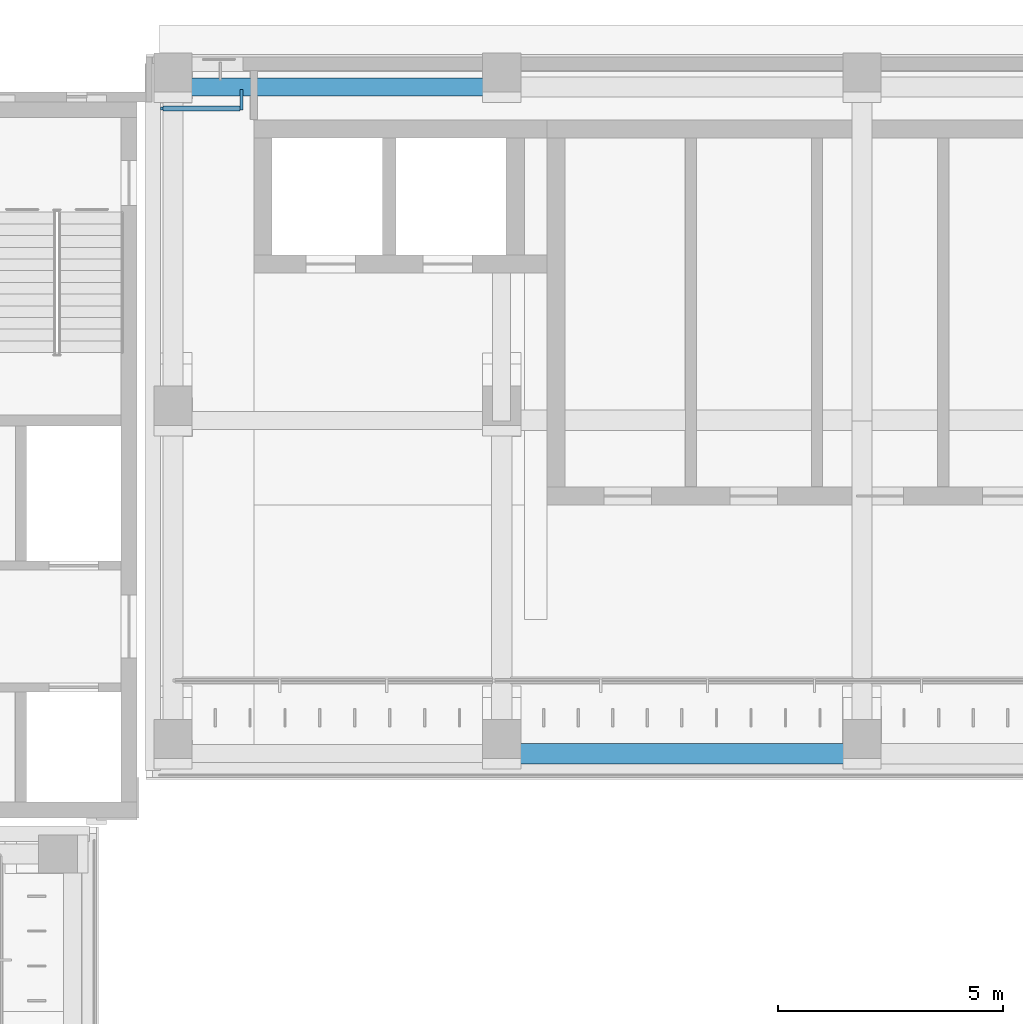
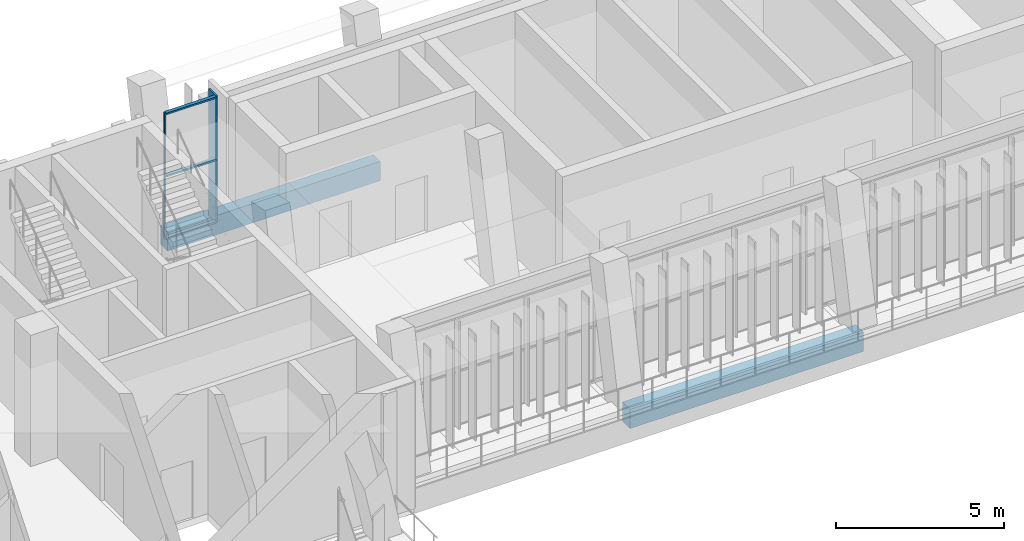
# One storey, part 33 of 92: 5 members, 2 beams, 1 element without a shape of its own.
"""IFC4 building model written with IfcOpenShell, lengths in metres."""

from ifc_helpers import new_model, si_unit, direction, frame, origin, origin_2d, place, context, subcontext, project, spatial, rectangle, extrude, material, material_profile, profile_set, type_object, element, aggregate, save


model = new_model("IFC4")

# Units and contexts
model_context = context("Model", 3, precision=1e-05, world=origin(), true_north=direction((0.0, 1.0)))
body_context = subcontext(model_context, "Body", "Model", "MODEL_VIEW")
ifc_project = project(units=[si_unit("LENGTHUNIT", "METRE"), si_unit("AREAUNIT", "SQUARE_METRE"), si_unit("VOLUMEUNIT", "CUBIC_METRE"), si_unit("PLANEANGLEUNIT", "RADIAN"), si_unit("MASSUNIT", "GRAM", prefix="KILO")], contexts=[model_context])

# Site, building, storey
site_placement = place(None, origin())
site = spatial("IfcSite", under=ifc_project, at=site_placement, CompositionType="ELEMENT")
building_placement = place(site_placement, origin())
building = spatial("IfcBuilding", under=site, at=building_placement, Name="Lantern Court Media Centre", CompositionType="ELEMENT")
storey_placement = place(building_placement, frame((0.0, 0.0, 4.800048828125)))
storey = spatial("IfcBuildingStorey", under=building, at=storey_placement, Name="L01", CompositionType="ELEMENT", Elevation=4.800048828125)

# Curtain wall, members
ifc_material_1 = material(Name="Curtain wall bay 3000")
curtain_wall_type = type_object("IfcCurtainWallType", Name="Curtain wall bay 3000", PredefinedType="NOTDEFINED", material=ifc_material_1)
curtain_wall_placement = place(storey_placement, origin())
curtain_wall = element("IfcCurtainWall", 1, at=curtain_wall_placement, inside=storey, type_object=curtain_wall_type, Name="Curtain wall N outer L01", PredefinedType="NOTDEFINED")
ifc_material_2 = material(Name="Anodised aluminium", Category="aluminium")
ifc_material_profile_1 = material_profile(ifc_material_2, rectangle(XDim=0.449951171875, YDim=0.06005859375, at=origin_2d()), Name="AL 60x450")
ifc_profile_set_1 = profile_set([ifc_material_profile_1], Name="Anodised aluminium")
member_type_1 = type_object("IfcMemberType", Name="Curtain wall mullion 60x450", PredefinedType="MULLION", material=ifc_profile_set_1)
member_1_placement = place(storey_placement, frame((26.219970703125, 112.044921875, 0.0), z_axis=(0.0, 0.0, 1.0), x_axis=(0.0, 1.0, 0.0)))
member_1 = element("IfcMember", 2, at=member_1_placement, type_object=member_type_1, Name="CW1 mullion 2", PredefinedType="MULLION", context=body_context, shape_type="SweptSolid", body=[
    extrude(rectangle(XDim=0.449951171875, YDim=0.06005859375, at=origin_2d()), origin(), (0.0, 0.0, 1.0), 4.579833984375),
])
ifc_material_profile_2 = material_profile(ifc_material_2, rectangle(XDim=0.06005859375, YDim=0.06005859375, at=origin_2d()), Name="AL 60x60")
ifc_profile_set_2 = profile_set([ifc_material_profile_2], Name="Anodised aluminium")
member_type_2 = type_object("IfcMemberType", Name="Curtain wall mullion 60x60", PredefinedType="MULLION", material=ifc_profile_set_2)
member_2_placement = place(storey_placement, frame((24.449951171875, 111.85009765625, 0.0), z_axis=(0.0, 0.0, 1.0), x_axis=(0.0, 1.0, 0.0)))
member_2 = element("IfcMember", 3, at=member_2_placement, type_object=member_type_2, Name="CW1 mullion 1", PredefinedType="MULLION", context=body_context, shape_type="SweptSolid", body=[
    extrude(rectangle(XDim=0.06005859375, YDim=0.06005859375, at=origin_2d()), origin(), (0.0, 0.0, 1.0), 4.579833984375),
])
ifc_material_profile_3 = material_profile(ifc_material_2, rectangle(XDim=0.1201171875, YDim=0.06005859375, at=origin_2d()), Name="AL 60x120")
ifc_profile_set_3 = profile_set([ifc_material_profile_3], Name="Anodised aluminium")
member_type_3 = type_object("IfcMemberType", Name="Curtain wall transom 60x120", PredefinedType="USERDEFINED", material=ifc_profile_set_3)
member_3_placement = place(storey_placement, frame((24.47998046875, 111.85009765625, 0.030029296875), z_axis=(1.0, 0.0, 0.0), x_axis=(0.0, 1.0, 0.0)))
member_3 = element("IfcMember", 4, at=member_3_placement, type_object=member_type_3, Name="CW1 transom 1.1", ObjectType="TRANSOM", PredefinedType="USERDEFINED", context=body_context, shape_type="SweptSolid", body=[
    extrude(rectangle(XDim=0.1201171875, YDim=0.06005859375, at=origin_2d()), origin(), (0.0, 0.0, 1.0), 1.7099609375),
])
member_4_placement = place(storey_placement, frame((24.47998046875, 111.85009765625, 2.2900390625), z_axis=(1.0, 0.0, 0.0), x_axis=(0.0, 1.0, 0.0)))
member_4 = element("IfcMember", 5, at=member_4_placement, type_object=member_type_3, Name="CW1 transom 1.2", ObjectType="TRANSOM", PredefinedType="USERDEFINED", context=body_context, shape_type="SweptSolid", body=[
    extrude(rectangle(XDim=0.1201171875, YDim=0.06005859375, at=origin_2d()), origin(), (0.0, 0.0, 1.0), 1.7099609375),
])
member_5_placement = place(storey_placement, frame((24.47998046875, 111.85009765625, 4.550048828125), z_axis=(1.0, 0.0, 0.0), x_axis=(0.0, 1.0, 0.0)))
member_5 = element("IfcMember", 6, at=member_5_placement, type_object=member_type_3, Name="CW1 transom 1.3", ObjectType="TRANSOM", PredefinedType="USERDEFINED", context=body_context, shape_type="SweptSolid", body=[
    extrude(rectangle(XDim=0.1201171875, YDim=0.06005859375, at=origin_2d()), origin(), (0.0, 0.0, 1.0), 1.7099609375),
])
aggregate(curtain_wall, [member_2, member_1, member_3, member_4, member_5])

# Beams
ifc_material_3 = material(Name="Concrete C35", Category="concrete")
ifc_material_profile_4 = material_profile(ifc_material_3, rectangle(XDim=0.39990234375, YDim=0.699951171875, at=origin_2d()), Name="RC 400x700")
ifc_profile_set_4 = profile_set([ifc_material_profile_4], Name="Concrete C35")
beam_type_1 = type_object("IfcBeamType", Name="RC BEAM 400x700", PredefinedType="BEAM", material=ifc_profile_set_4)
beam_1_placement = place(storey_placement, frame((24.699951171875, 112.3271484375, -0.35009765625), z_axis=(1.0, 0.0, 0.0), x_axis=(0.0, 1.0, 0.0)))
element("IfcBeam", 7, at=beam_1_placement, inside=storey, type_object=beam_type_1, Name="LB-N-L01-2-0", PredefinedType="BEAM", context=body_context, shape_type="SweptSolid", body=[
    extrude(rectangle(XDim=0.39990234375, YDim=0.699951171875, at=origin_2d()), origin(), (0.0, 0.0, 1.0), 7.300048828125),
])
ifc_material_profile_5 = material_profile(ifc_material_3, rectangle(XDim=0.449951171875, YDim=0.699951171875, at=origin_2d()), Name="RC 450x700")
ifc_profile_set_5 = profile_set([ifc_material_profile_5], Name="Concrete C35")
beam_type_2 = type_object("IfcBeamType", Name="RC BEAM 450x700", PredefinedType="BEAM", material=ifc_profile_set_5)
beam_2_placement = place(storey_placement, frame((32.0, 97.527099609375, -0.35009765625), z_axis=(1.0, 0.0, 0.0), x_axis=(0.0, 1.0, 0.0)))
element("IfcBeam", 8, at=beam_2_placement, inside=storey, type_object=beam_type_2, Name="LB-N-L01-0-1", PredefinedType="BEAM", context=body_context, shape_type="SweptSolid", body=[
    extrude(rectangle(XDim=0.449951171875, YDim=0.699951171875, at=origin_2d()), origin(), (0.0, 0.0, 1.0), 8.0),
])

save(model, "model.ifc")
